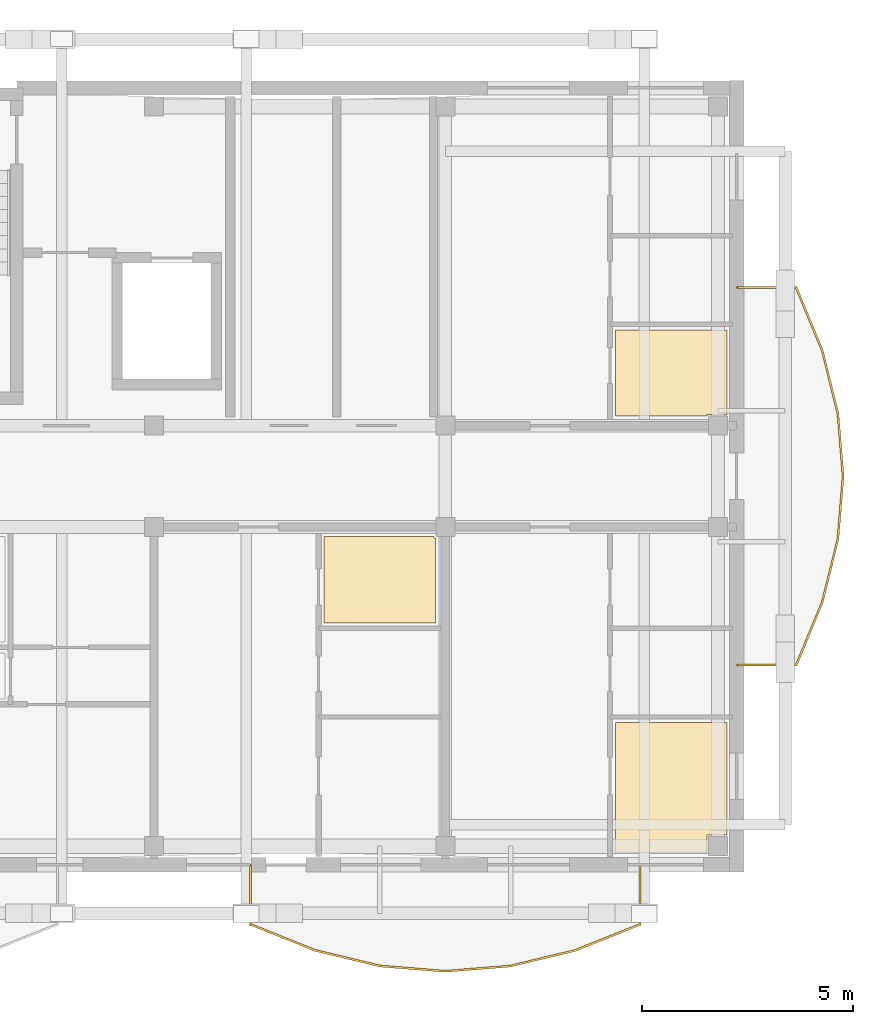
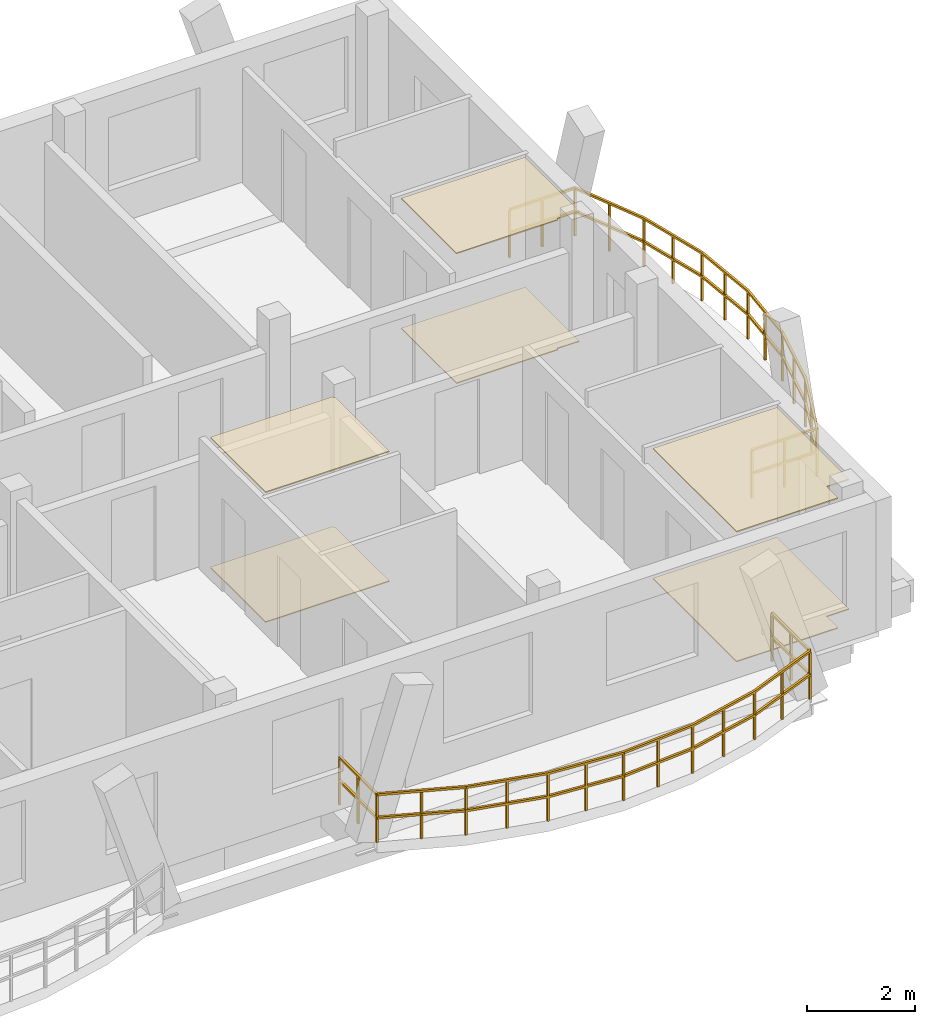
# One storey, part 42 of 44: 6 coverings, 2 railings.
"""IFC4 building model written with IfcOpenShell, lengths in metres."""

from ifc_helpers import new_model, si_unit, direction, frame, origin, origin_2d, place, context, subcontext, project, spatial, polyline, rectangle, outline, extrude, material, layer, layer_set, type_object, element, save


model = new_model("IFC4")

# Units and contexts
model_context = context("Model", 3, precision=1e-05, world=origin(), true_north=direction((0.0, 1.0)))
body_context = subcontext(model_context, "Body", "Model", "MODEL_VIEW")
ifc_project = project(units=[si_unit("LENGTHUNIT", "METRE"), si_unit("AREAUNIT", "SQUARE_METRE"), si_unit("VOLUMEUNIT", "CUBIC_METRE"), si_unit("PLANEANGLEUNIT", "RADIAN"), si_unit("MASSUNIT", "GRAM", prefix="KILO")], contexts=[model_context])

# Site, building, storey
site_placement = place(None, origin())
site = spatial("IfcSite", under=ifc_project, at=site_placement, CompositionType="ELEMENT")
building_placement = place(site_placement, origin())
building = spatial("IfcBuilding", under=site, at=building_placement, Name="Zavelmont Quarter", CompositionType="ELEMENT")
storey_placement = place(building_placement, frame((0.0, 0.0, 20.800048828125)))
storey = spatial("IfcBuildingStorey", under=building, at=storey_placement, Name="L06", CompositionType="ELEMENT", Elevation=20.800048828125)

# Coverings
ifc_material_1 = material(Name="Perforated acoustic gypsum board")
ifc_layer_1 = layer(ifc_material_1, 0.02490234375)
ifc_layer_set_1 = layer_set([ifc_layer_1], Name="Perforated acoustic gypsum board")
covering_type_1 = type_object("IfcCoveringType", Name="CV-CL01", PredefinedType="CEILING", material=ifc_layer_set_1)
covering_1_placement = place(storey_placement, frame((0.0, 0.0, 2.925048828125)))
element("IfcCovering", 1, at=covering_1_placement, inside=storey, type_object=covering_type_1, Name="L06 Kitchen acoustic ceiling", PredefinedType="CEILING", context=body_context, shape_type="SweptSolid", body=[
    extrude(outline(polyline([(158.22998046875, 7.77001953125), (160.8349609375, 7.77001953125), (160.8349609375, 7.735107421875), (160.8701171875, 7.735107421875), (160.8701171875, 5.72998046875), (158.22998046875, 5.72998046875), (158.22998046875, 7.77001953125)])), origin(), (0.0, 0.0, 1.0), 0.02490234375),
])
covering_2_placement = place(storey_placement, frame((0.0, 0.0, 2.925048828125)))
element("IfcCovering", 2, at=covering_2_placement, inside=storey, type_object=covering_type_1, Name="L06 Single Bedroom acoustic ceiling", PredefinedType="CEILING", context=body_context, shape_type="SweptSolid", body=[
    extrude(outline(polyline([(165.1298828125, 3.3701171875), (167.77001953125, 3.3701171875), (167.77001953125, 0.705078125), (167.294921875, 0.705078125), (167.294921875, 0.280029296875), (165.1298828125, 0.280029296875), (165.1298828125, 3.3701171875)])), origin(), (0.0, 0.0, 1.0), 0.02490234375),
])
covering_3_placement = place(storey_placement, frame((0.0, 0.0, 2.925048828125)))
element("IfcCovering", 3, at=covering_3_placement, inside=storey, type_object=covering_type_1, Name="L06 Kitchen acoustic ceiling", PredefinedType="CEILING", context=body_context, shape_type="SweptSolid", body=[
    extrude(outline(polyline([(165.1298828125, 12.669921875), (167.77001953125, 12.669921875), (167.77001953125, 10.6650390625), (167.294921875, 10.6650390625), (167.294921875, 10.6298828125), (165.1298828125, 10.6298828125), (165.1298828125, 12.669921875)])), origin(), (0.0, 0.0, 1.0), 0.02490234375),
])
ifc_material_2 = material(Name="Engineered European oak parquet")
ifc_layer_2 = layer(ifc_material_2, 0.02197265625)
ifc_layer_set_2 = layer_set([ifc_layer_2], Name="Engineered European oak parquet")
covering_type_2 = type_object("IfcCoveringType", Name="CV-FL01", PredefinedType="FLOORING", material=ifc_layer_set_2)
covering_4_placement = place(storey_placement, origin())
element("IfcCovering", 4, at=covering_4_placement, inside=storey, type_object=covering_type_2, Name="L06 Kitchen floor finish", PredefinedType="FLOORING", context=body_context, shape_type="SweptSolid", body=[
    extrude(outline(polyline([(158.22998046875, 7.77001953125), (160.8349609375, 7.77001953125), (160.8349609375, 7.735107421875), (160.8701171875, 7.735107421875), (160.8701171875, 5.72998046875), (158.22998046875, 5.72998046875), (158.22998046875, 7.77001953125)])), origin(), (0.0, 0.0, 1.0), 0.02197265625),
])
covering_5_placement = place(storey_placement, origin())
element("IfcCovering", 5, at=covering_5_placement, inside=storey, type_object=covering_type_2, Name="L06 Single Bedroom floor finish", PredefinedType="FLOORING", context=body_context, shape_type="SweptSolid", body=[
    extrude(outline(polyline([(165.1298828125, 3.3701171875), (167.77001953125, 3.3701171875), (167.77001953125, 0.705078125), (167.294921875, 0.705078125), (167.294921875, 0.280029296875), (165.1298828125, 0.280029296875), (165.1298828125, 3.3701171875)])), origin(), (0.0, 0.0, 1.0), 0.02197265625),
])
covering_6_placement = place(storey_placement, origin())
element("IfcCovering", 6, at=covering_6_placement, inside=storey, type_object=covering_type_2, Name="L06 Kitchen floor finish", PredefinedType="FLOORING", context=body_context, shape_type="SweptSolid", body=[
    extrude(outline(polyline([(165.1298828125, 12.669921875), (167.77001953125, 12.669921875), (167.77001953125, 10.6650390625), (167.294921875, 10.6650390625), (167.294921875, 10.6298828125), (165.1298828125, 10.6298828125), (165.1298828125, 12.669921875)])), origin(), (0.0, 0.0, 1.0), 0.02197265625),
])

# Railings
ifc_material_3 = material(Name="Powder-coated steel and tempered double safety glass", Category="steel")
railing_type = type_object("IfcRailingType", Name="RL-BAL1", PredefinedType="BALUSTRADE", material=ifc_material_3)
railing_1_placement = place(storey_placement, frame((156.4853515625, -0.02001953125, 0.0)))
element("IfcRailing", 7, at=railing_1_placement, inside=storey, type_object=railing_type, Name="L06 Block D curved balcony guard RL-BAL1", PredefinedType="BALUSTRADE", context=body_context, shape_type="SweptSolid", body=[
    extrude(rectangle(XDim=0.048095703125, YDim=0.048095703125, at=origin_2d()), frame((0.0, 0.0, 1.076171875), z_axis=(0.0, -1.0, 0.0), x_axis=(1.0, 0.0, 0.0)), (0.0, 0.0, 1.0), 1.392333984375),
    extrude(rectangle(XDim=0.048095703125, YDim=0.048095703125, at=origin_2d()), frame((0.0, 0.0, 0.550048828125), z_axis=(0.0, -1.0, 0.0), x_axis=(1.0, 0.0, 0.0)), (0.0, 0.0, 1.0), 1.392333984375),
    extrude(rectangle(XDim=0.048095703125, YDim=0.048095703125, at=origin_2d()), frame((0.0, -1.392333984375, 1.076171875), z_axis=(0.928222444561, -0.372025662304, 0.0), x_axis=(0.372025662304, 0.928222444561, 0.0)), (0.0, 0.0, 1.0), 1.656982421875),
    extrude(rectangle(XDim=0.048095703125, YDim=0.048095703125, at=origin_2d()), frame((0.0, -1.392333984375, 0.550048828125), z_axis=(0.928222444561, -0.372025662304, 0.0), x_axis=(0.372025662304, 0.928222444561, 0.0)), (0.0, 0.0, 1.0), 1.656982421875),
    extrude(rectangle(XDim=0.048095703125, YDim=0.048095703125, at=origin_2d()), frame((1.5380859375, -2.0087890625, 1.076171875), z_axis=(0.972290572243, -0.233775625607, 0.0), x_axis=(0.233775625607, 0.972290572243, 0.0)), (0.0, 0.0, 1.0), 1.582275390625),
    extrude(rectangle(XDim=0.048095703125, YDim=0.048095703125, at=origin_2d()), frame((1.5380859375, -2.0087890625, 0.550048828125), z_axis=(0.972290572243, -0.233775625607, 0.0), x_axis=(0.233775625607, 0.972290572243, 0.0)), (0.0, 0.0, 1.0), 1.582275390625),
    extrude(rectangle(XDim=0.048095703125, YDim=0.048095703125, at=origin_2d()), frame((3.076416015625, -2.378662109375, 1.076171875), z_axis=(0.996803698739, -0.079889837782, 0.0), x_axis=(0.079889837782, 0.996803698739, 0.0)), (0.0, 0.0, 1.0), 1.543212890625),
    extrude(rectangle(XDim=0.048095703125, YDim=0.048095703125, at=origin_2d()), frame((3.076416015625, -2.378662109375, 0.550048828125), z_axis=(0.996803698739, -0.079889837782, 0.0), x_axis=(0.079889837782, 0.996803698739, 0.0)), (0.0, 0.0, 1.0), 1.543212890625),
    extrude(rectangle(XDim=0.048095703125, YDim=0.048095703125, at=origin_2d()), frame((4.61474609375, -2.501953125, 1.076171875), z_axis=(0.996802688821, 0.079902437755, 0.0), x_axis=(-0.079902437755, 0.996802688821, 0.0)), (0.0, 0.0, 1.0), 1.54296875),
    extrude(rectangle(XDim=0.048095703125, YDim=0.048095703125, at=origin_2d()), frame((4.61474609375, -2.501953125, 0.550048828125), z_axis=(0.996802688821, 0.079902437755, 0.0), x_axis=(-0.079902437755, 0.996802688821, 0.0)), (0.0, 0.0, 1.0), 1.54296875),
    extrude(rectangle(XDim=0.048095703125, YDim=0.048095703125, at=origin_2d()), frame((6.15283203125, -2.378662109375, 1.076171875), z_axis=(0.972290572243, 0.233775625607, 0.0), x_axis=(-0.233775625607, 0.972290572243, 0.0)), (0.0, 0.0, 1.0), 1.582275390625),
    extrude(rectangle(XDim=0.048095703125, YDim=0.048095703125, at=origin_2d()), frame((6.15283203125, -2.378662109375, 0.550048828125), z_axis=(0.972290572243, 0.233775625607, 0.0), x_axis=(-0.233775625607, 0.972290572243, 0.0)), (0.0, 0.0, 1.0), 1.582275390625),
    extrude(rectangle(XDim=0.048095703125, YDim=0.048095703125, at=origin_2d()), frame((7.691162109375, -2.0087890625, 1.076171875), z_axis=(0.928222444561, 0.372025662304, 0.0), x_axis=(-0.372025662304, 0.928222444561, 0.0)), (0.0, 0.0, 1.0), 1.656982421875),
    extrude(rectangle(XDim=0.048095703125, YDim=0.048095703125, at=origin_2d()), frame((7.691162109375, -2.0087890625, 0.550048828125), z_axis=(0.928222444561, 0.372025662304, 0.0), x_axis=(-0.372025662304, 0.928222444561, 0.0)), (0.0, 0.0, 1.0), 1.656982421875),
    extrude(rectangle(XDim=0.048095703125, YDim=0.048095703125, at=origin_2d()), frame((9.229248046875, -1.392333984375, 1.076171875), z_axis=(0.0, 1.0, 0.0), x_axis=(-1.0, 0.0, 0.0)), (0.0, 0.0, 1.0), 1.392333984375),
    extrude(rectangle(XDim=0.048095703125, YDim=0.048095703125, at=origin_2d()), frame((9.229248046875, -1.392333984375, 0.550048828125), z_axis=(0.0, 1.0, 0.0), x_axis=(-1.0, 0.0, 0.0)), (0.0, 0.0, 1.0), 1.392333984375),
    extrude(rectangle(XDim=0.0419921875, YDim=0.0419921875, at=origin_2d()), origin(), (0.0, 0.0, 1.0), 1.052001953125),
    extrude(rectangle(XDim=0.0419921875, YDim=0.0419921875, at=origin_2d()), frame((0.0, -0.6962890625, 0.0)), (0.0, 0.0, 1.0), 1.052001953125),
    extrude(rectangle(XDim=0.0419921875, YDim=0.0419921875, at=origin_2d()), frame((0.0, -1.392333984375, 0.0)), (0.0, 0.0, 1.0), 1.052001953125),
    extrude(rectangle(XDim=0.0419921875, YDim=0.0419921875, at=origin_2d()), frame((0.76904296875, -1.70068359375, 0.0)), (0.0, 0.0, 1.0), 1.052001953125),
    extrude(rectangle(XDim=0.0419921875, YDim=0.0419921875, at=origin_2d()), frame((1.5380859375, -2.0087890625, 0.0)), (0.0, 0.0, 1.0), 1.052001953125),
    extrude(rectangle(XDim=0.0419921875, YDim=0.0419921875, at=origin_2d()), frame((2.30712890625, -2.19384765625, 0.0)), (0.0, 0.0, 1.0), 1.052001953125),
    extrude(rectangle(XDim=0.0419921875, YDim=0.0419921875, at=origin_2d()), frame((3.076416015625, -2.378662109375, 0.0)), (0.0, 0.0, 1.0), 1.052001953125),
    extrude(rectangle(XDim=0.0419921875, YDim=0.0419921875, at=origin_2d()), frame((3.845703125, -2.4404296875, 0.0)), (0.0, 0.0, 1.0), 1.052001953125),
    extrude(rectangle(XDim=0.0419921875, YDim=0.0419921875, at=origin_2d()), frame((4.61474609375, -2.501953125, 0.0)), (0.0, 0.0, 1.0), 1.052001953125),
    extrude(rectangle(XDim=0.0419921875, YDim=0.0419921875, at=origin_2d()), frame((5.3837890625, -2.4404296875, 0.0)), (0.0, 0.0, 1.0), 1.052001953125),
    extrude(rectangle(XDim=0.0419921875, YDim=0.0419921875, at=origin_2d()), frame((6.15283203125, -2.378662109375, 0.0)), (0.0, 0.0, 1.0), 1.052001953125),
    extrude(rectangle(XDim=0.0419921875, YDim=0.0419921875, at=origin_2d()), frame((6.921875, -2.19384765625, 0.0)), (0.0, 0.0, 1.0), 1.052001953125),
    extrude(rectangle(XDim=0.0419921875, YDim=0.0419921875, at=origin_2d()), frame((7.691162109375, -2.0087890625, 0.0)), (0.0, 0.0, 1.0), 1.052001953125),
    extrude(rectangle(XDim=0.0419921875, YDim=0.0419921875, at=origin_2d()), frame((8.460205078125, -1.70068359375, 0.0)), (0.0, 0.0, 1.0), 1.052001953125),
    extrude(rectangle(XDim=0.0419921875, YDim=0.0419921875, at=origin_2d()), frame((9.229248046875, -1.392333984375, 0.0)), (0.0, 0.0, 1.0), 1.052001953125),
    extrude(rectangle(XDim=0.0419921875, YDim=0.0419921875, at=origin_2d()), frame((9.229248046875, -0.6962890625, 0.0)), (0.0, 0.0, 1.0), 1.052001953125),
    extrude(rectangle(XDim=0.0419921875, YDim=0.0419921875, at=origin_2d()), frame((9.229248046875, 0.0, 0.0)), (0.0, 0.0, 1.0), 1.052001953125),
])
railing_2_placement = place(storey_placement, frame((168.02001953125, 4.728515625, 0.0)))
element("IfcRailing", 8, at=railing_2_placement, inside=storey, type_object=railing_type, Name="L06 Block D curved balcony guard RL-BAL1", PredefinedType="BALUSTRADE", context=body_context, shape_type="SweptSolid", body=[
    extrude(rectangle(XDim=0.048095703125, YDim=0.048095703125, at=origin_2d()), frame((0.0, 0.0, 1.076171875), z_axis=(1.0, 0.0, 0.0), x_axis=(0.0, 1.0, 0.0)), (0.0, 0.0, 1.0), 1.392333984375),
    extrude(rectangle(XDim=0.048095703125, YDim=0.048095703125, at=origin_2d()), frame((0.0, 0.0, 0.550048828125), z_axis=(1.0, 0.0, 0.0), x_axis=(0.0, 1.0, 0.0)), (0.0, 0.0, 1.0), 1.392333984375),
    extrude(rectangle(XDim=0.048095703125, YDim=0.048095703125, at=origin_2d()), frame((1.392333984375, 0.0, 1.076171875), z_axis=(0.382195812509, 0.924081360542, 0.0), x_axis=(-0.924081360542, 0.382195812509, 0.0)), (0.0, 0.0, 1.0), 1.613037109375),
    extrude(rectangle(XDim=0.048095703125, YDim=0.048095703125, at=origin_2d()), frame((1.392333984375, 0.0, 0.550048828125), z_axis=(0.382195812509, 0.924081360542, 0.0), x_axis=(-0.924081360542, 0.382195812509, 0.0)), (0.0, 0.0, 1.0), 1.613037109375),
    extrude(rectangle(XDim=0.048095703125, YDim=0.048095703125, at=origin_2d()), frame((2.0087890625, 1.490478515625, 1.076171875), z_axis=(0.240851961441, 0.970561864422, 0.0), x_axis=(-0.970561864422, 0.240851961441, 0.0)), (0.0, 0.0, 1.0), 1.53564453125),
    extrude(rectangle(XDim=0.048095703125, YDim=0.048095703125, at=origin_2d()), frame((2.0087890625, 1.490478515625, 0.550048828125), z_axis=(0.240851961441, 0.970561864422, 0.0), x_axis=(-0.970561864422, 0.240851961441, 0.0)), (0.0, 0.0, 1.0), 1.53564453125),
    extrude(rectangle(XDim=0.048095703125, YDim=0.048095703125, at=origin_2d()), frame((2.378662109375, 2.98095703125, 1.076171875), z_axis=(0.082437526344, 0.996596234315, 0.0), x_axis=(-0.996596234315, 0.082437526344, 0.0)), (0.0, 0.0, 1.0), 1.49560546875),
    extrude(rectangle(XDim=0.048095703125, YDim=0.048095703125, at=origin_2d()), frame((2.378662109375, 2.98095703125, 0.550048828125), z_axis=(0.082437526344, 0.996596234315, 0.0), x_axis=(-0.996596234315, 0.082437526344, 0.0)), (0.0, 0.0, 1.0), 1.49560546875),
    extrude(rectangle(XDim=0.048095703125, YDim=0.048095703125, at=origin_2d()), frame((2.501953125, 4.471435546875, 1.076171875), z_axis=(-0.082437526344, 0.996596234315, 0.0), x_axis=(-0.996596234315, -0.082437526344, 0.0)), (0.0, 0.0, 1.0), 1.49560546875),
    extrude(rectangle(XDim=0.048095703125, YDim=0.048095703125, at=origin_2d()), frame((2.501953125, 4.471435546875, 0.550048828125), z_axis=(-0.082437526344, 0.996596234315, 0.0), x_axis=(-0.996596234315, -0.082437526344, 0.0)), (0.0, 0.0, 1.0), 1.49560546875),
    extrude(rectangle(XDim=0.048095703125, YDim=0.048095703125, at=origin_2d()), frame((2.378662109375, 5.9619140625, 1.076171875), z_axis=(-0.240851961441, 0.970561864422, 0.0), x_axis=(-0.970561864422, -0.240851961441, 0.0)), (0.0, 0.0, 1.0), 1.53564453125),
    extrude(rectangle(XDim=0.048095703125, YDim=0.048095703125, at=origin_2d()), frame((2.378662109375, 5.9619140625, 0.550048828125), z_axis=(-0.240851961441, 0.970561864422, 0.0), x_axis=(-0.970561864422, -0.240851961441, 0.0)), (0.0, 0.0, 1.0), 1.53564453125),
    extrude(rectangle(XDim=0.048095703125, YDim=0.048095703125, at=origin_2d()), frame((2.0087890625, 7.452392578125, 1.076171875), z_axis=(-0.382195812509, 0.924081360542, 0.0), x_axis=(-0.924081360542, -0.382195812509, 0.0)), (0.0, 0.0, 1.0), 1.613037109375),
    extrude(rectangle(XDim=0.048095703125, YDim=0.048095703125, at=origin_2d()), frame((2.0087890625, 7.452392578125, 0.550048828125), z_axis=(-0.382195812509, 0.924081360542, 0.0), x_axis=(-0.924081360542, -0.382195812509, 0.0)), (0.0, 0.0, 1.0), 1.613037109375),
    extrude(rectangle(XDim=0.048095703125, YDim=0.048095703125, at=origin_2d()), frame((1.392333984375, 8.94287109375, 1.076171875), z_axis=(-1.0, 0.0, 0.0), x_axis=(0.0, -1.0, 0.0)), (0.0, 0.0, 1.0), 1.392333984375),
    extrude(rectangle(XDim=0.048095703125, YDim=0.048095703125, at=origin_2d()), frame((1.392333984375, 8.94287109375, 0.550048828125), z_axis=(-1.0, 0.0, 0.0), x_axis=(0.0, -1.0, 0.0)), (0.0, 0.0, 1.0), 1.392333984375),
    extrude(rectangle(XDim=0.0419921875, YDim=0.0419921875, at=origin_2d()), origin(), (0.0, 0.0, 1.0), 1.052001953125),
    extrude(rectangle(XDim=0.0419921875, YDim=0.0419921875, at=origin_2d()), frame((0.6962890625, 0.0, 0.0)), (0.0, 0.0, 1.0), 1.052001953125),
    extrude(rectangle(XDim=0.0419921875, YDim=0.0419921875, at=origin_2d()), frame((1.392333984375, 0.0, 0.0)), (0.0, 0.0, 1.0), 1.052001953125),
    extrude(rectangle(XDim=0.0419921875, YDim=0.0419921875, at=origin_2d()), frame((1.70068359375, 0.7451171875, 0.0)), (0.0, 0.0, 1.0), 1.052001953125),
    extrude(rectangle(XDim=0.0419921875, YDim=0.0419921875, at=origin_2d()), frame((2.0087890625, 1.490478515625, 0.0)), (0.0, 0.0, 1.0), 1.052001953125),
    extrude(rectangle(XDim=0.0419921875, YDim=0.0419921875, at=origin_2d()), frame((2.19384765625, 2.23583984375, 0.0)), (0.0, 0.0, 1.0), 1.052001953125),
    extrude(rectangle(XDim=0.0419921875, YDim=0.0419921875, at=origin_2d()), frame((2.378662109375, 2.98095703125, 0.0)), (0.0, 0.0, 1.0), 1.052001953125),
    extrude(rectangle(XDim=0.0419921875, YDim=0.0419921875, at=origin_2d()), frame((2.4404296875, 3.72607421875, 0.0)), (0.0, 0.0, 1.0), 1.052001953125),
    extrude(rectangle(XDim=0.0419921875, YDim=0.0419921875, at=origin_2d()), frame((2.501953125, 4.471435546875, 0.0)), (0.0, 0.0, 1.0), 1.052001953125),
    extrude(rectangle(XDim=0.0419921875, YDim=0.0419921875, at=origin_2d()), frame((2.4404296875, 5.216796875, 0.0)), (0.0, 0.0, 1.0), 1.052001953125),
    extrude(rectangle(XDim=0.0419921875, YDim=0.0419921875, at=origin_2d()), frame((2.378662109375, 5.9619140625, 0.0)), (0.0, 0.0, 1.0), 1.052001953125),
    extrude(rectangle(XDim=0.0419921875, YDim=0.0419921875, at=origin_2d()), frame((2.19384765625, 6.70703125, 0.0)), (0.0, 0.0, 1.0), 1.052001953125),
    extrude(rectangle(XDim=0.0419921875, YDim=0.0419921875, at=origin_2d()), frame((2.0087890625, 7.452392578125, 0.0)), (0.0, 0.0, 1.0), 1.052001953125),
    extrude(rectangle(XDim=0.0419921875, YDim=0.0419921875, at=origin_2d()), frame((1.70068359375, 8.19775390625, 0.0)), (0.0, 0.0, 1.0), 1.052001953125),
    extrude(rectangle(XDim=0.0419921875, YDim=0.0419921875, at=origin_2d()), frame((1.392333984375, 8.94287109375, 0.0)), (0.0, 0.0, 1.0), 1.052001953125),
    extrude(rectangle(XDim=0.0419921875, YDim=0.0419921875, at=origin_2d()), frame((0.6962890625, 8.94287109375, 0.0)), (0.0, 0.0, 1.0), 1.052001953125),
    extrude(rectangle(XDim=0.0419921875, YDim=0.0419921875, at=origin_2d()), frame((0.0, 8.94287109375, 0.0)), (0.0, 0.0, 1.0), 1.052001953125),
])

save(model, "model.ifc")
